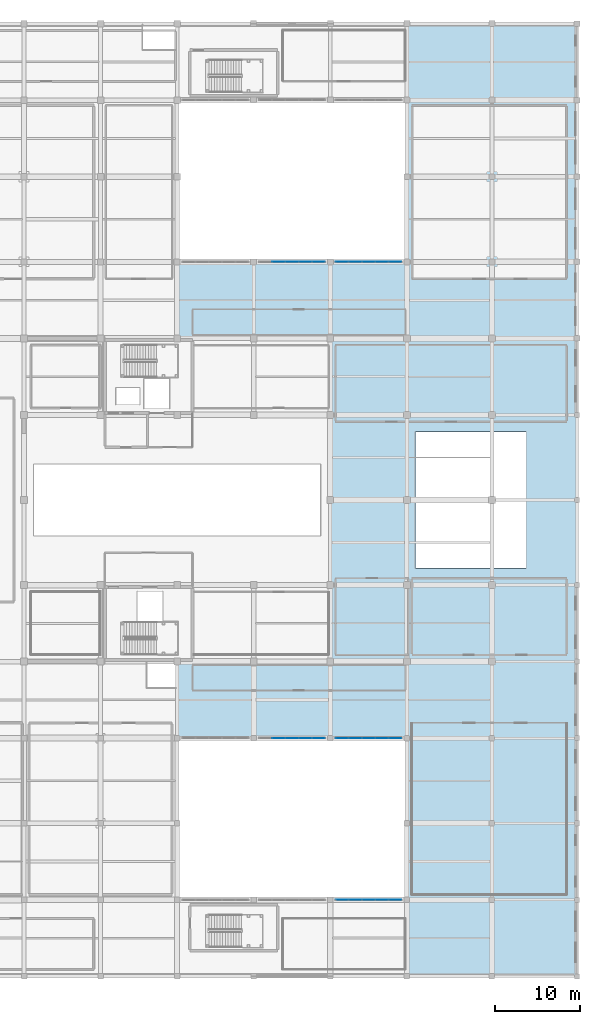
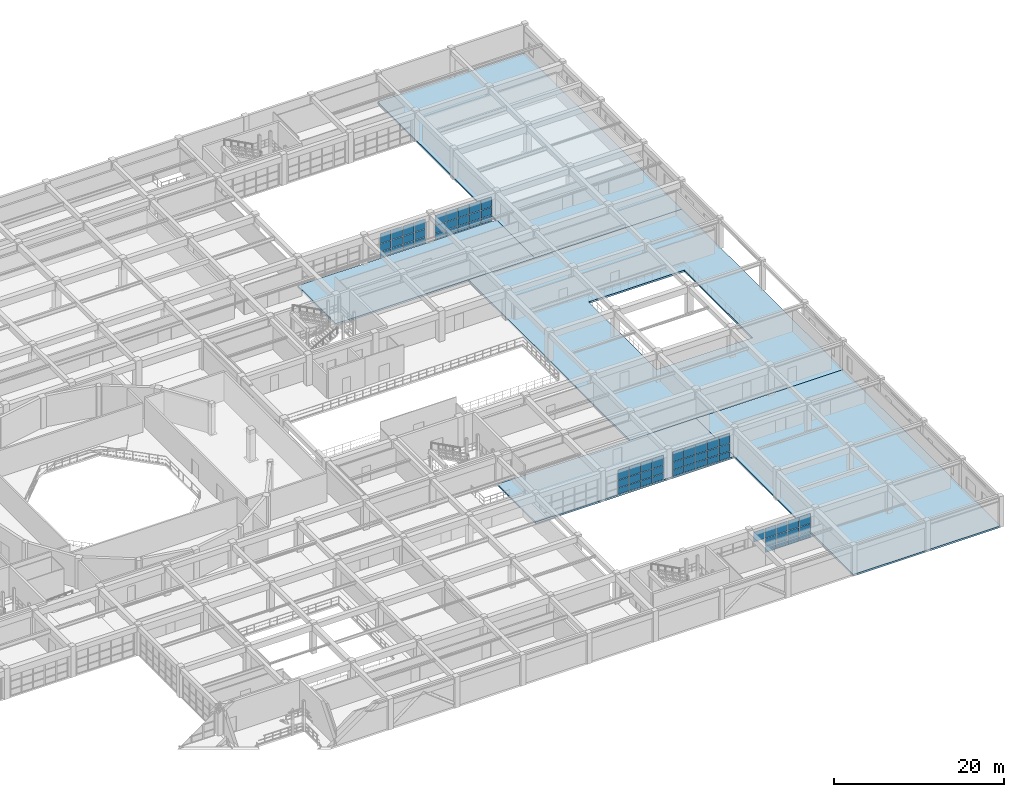
# One storey, part 99 of 133: 67 plates, 5 slabs, 5 elements without a shape of their own.
"""IFC4 building model written with IfcOpenShell, lengths in metres."""

from ifc_helpers import new_model, si_unit, direction, frame, origin, origin_2d, place, context, subcontext, project, spatial, polyline, rectangle, outline, extrude, material, layer, layer_set, type_object, element, aggregate, save


model = new_model("IFC4")

# Units and contexts
model_context = context("Model", 3, precision=1e-05, world=origin(), true_north=direction((0.0, 1.0)))
body_context = subcontext(model_context, "Body", "Model", "MODEL_VIEW")
ifc_project = project(units=[si_unit("LENGTHUNIT", "METRE"), si_unit("AREAUNIT", "SQUARE_METRE"), si_unit("VOLUMEUNIT", "CUBIC_METRE"), si_unit("PLANEANGLEUNIT", "RADIAN"), si_unit("MASSUNIT", "GRAM", prefix="KILO")], contexts=[model_context])

# Site, building, storey
site_placement = place(None, origin())
site = spatial("IfcSite", under=ifc_project, at=site_placement, CompositionType="ELEMENT")
building_placement = place(site_placement, origin())
building = spatial("IfcBuilding", under=site, at=building_placement, Name="Miravela Opera House", CompositionType="ELEMENT")
storey_placement = place(building_placement, frame((0.0, 0.0, 5.10009765625)))
storey = spatial("IfcBuildingStorey", under=building, at=storey_placement, Name="L01", CompositionType="ELEMENT", Elevation=5.10009765625)

# Curtain wall, plates
ifc_material_1 = material(Name="Anodised architectural bronze aluminium 6063-T6", Category="aluminium")
curtain_wall_type_1 = type_object("IfcCurtainWallType", Name="ARC-CW-05", PredefinedType="NOTDEFINED", material=ifc_material_1)
curtain_wall_1_placement = place(storey_placement, origin())
curtain_wall_1 = element("IfcCurtainWall", 1, at=curtain_wall_1_placement, inside=storey, type_object=curtain_wall_type_1, Name="Courtyard Arcade Curtain Wall CW-L01-172", PredefinedType="NOTDEFINED")
ifc_material_2 = material(Name="Acoustic laminated low-E insulating glass", Category="glass")
ifc_layer_1 = layer(ifc_material_2, 0.028076171875)
ifc_layer_set_1 = layer_set([ifc_layer_1])
plate_type = type_object("IfcPlateType", Name="ARC-CWP-28", PredefinedType="CURTAIN_PANEL", material=ifc_layer_set_1)
plate_1_placement = place(storey_placement, frame((128.931884765625, 84.0, 0.06005859375), z_axis=(0.0, 0.0, 1.0), x_axis=(1.0, 0.0, 0.0)))
plate_1 = element("IfcPlate", 2, at=plate_1_placement, type_object=plate_type, Name="CW-05 panel 2.1", PredefinedType="CURTAIN_PANEL", context=body_context, shape_type="SweptSolid", body=[
    extrude(rectangle(XDim=1.508056640625, YDim=0.028076171875, at=origin_2d()), origin(), (0.0, 0.0, 1.0), 0.860107421875),
])
plate_2_placement = place(storey_placement, frame((128.931884765625, 84.0, 0.97998046875), z_axis=(0.0, 0.0, 1.0), x_axis=(1.0, 0.0, 0.0)))
plate_2 = element("IfcPlate", 3, at=plate_2_placement, type_object=plate_type, Name="CW-05 panel 2.2", PredefinedType="CURTAIN_PANEL", context=body_context, shape_type="SweptSolid", body=[
    extrude(rectangle(XDim=1.508056640625, YDim=0.028076171875, at=origin_2d()), origin(), (0.0, 0.0, 1.0), 1.083740234375),
])
plate_3_placement = place(storey_placement, frame((128.931884765625, 84.0, 2.123779296875), z_axis=(0.0, 0.0, 1.0), x_axis=(1.0, 0.0, 0.0)))
plate_3 = element("IfcPlate", 4, at=plate_3_placement, type_object=plate_type, Name="CW-05 panel 2.3", PredefinedType="CURTAIN_PANEL", context=body_context, shape_type="SweptSolid", body=[
    extrude(rectangle(XDim=1.508056640625, YDim=0.028076171875, at=origin_2d()), origin(), (0.0, 0.0, 1.0), 1.42626953125),
])
plate_4_placement = place(storey_placement, frame((130.5, 84.0, 0.06005859375), z_axis=(0.0, 0.0, 1.0), x_axis=(1.0, 0.0, 0.0)))
plate_4 = element("IfcPlate", 5, at=plate_4_placement, type_object=plate_type, Name="CW-05 panel 3.1", PredefinedType="CURTAIN_PANEL", context=body_context, shape_type="SweptSolid", body=[
    extrude(rectangle(XDim=1.508056640625, YDim=0.028076171875, at=origin_2d()), origin(), (0.0, 0.0, 1.0), 0.860107421875),
])
plate_5_placement = place(storey_placement, frame((130.5, 84.0, 0.97998046875), z_axis=(0.0, 0.0, 1.0), x_axis=(1.0, 0.0, 0.0)))
plate_5 = element("IfcPlate", 6, at=plate_5_placement, type_object=plate_type, Name="CW-05 panel 3.2", PredefinedType="CURTAIN_PANEL", context=body_context, shape_type="SweptSolid", body=[
    extrude(rectangle(XDim=1.508056640625, YDim=0.028076171875, at=origin_2d()), origin(), (0.0, 0.0, 1.0), 1.083740234375),
])
plate_6_placement = place(storey_placement, frame((130.5, 84.0, 2.123779296875), z_axis=(0.0, 0.0, 1.0), x_axis=(1.0, 0.0, 0.0)))
plate_6 = element("IfcPlate", 7, at=plate_6_placement, type_object=plate_type, Name="CW-05 panel 3.3", PredefinedType="CURTAIN_PANEL", context=body_context, shape_type="SweptSolid", body=[
    extrude(rectangle(XDim=1.508056640625, YDim=0.028076171875, at=origin_2d()), origin(), (0.0, 0.0, 1.0), 1.42626953125),
])
plate_7_placement = place(storey_placement, frame((132.068115234375, 84.0, 0.06005859375), z_axis=(0.0, 0.0, 1.0), x_axis=(1.0, 0.0, 0.0)))
plate_7 = element("IfcPlate", 8, at=plate_7_placement, type_object=plate_type, Name="CW-05 panel 4.1", PredefinedType="CURTAIN_PANEL", context=body_context, shape_type="SweptSolid", body=[
    extrude(rectangle(XDim=1.508056640625, YDim=0.028076171875, at=origin_2d()), origin(), (0.0, 0.0, 1.0), 0.860107421875),
])
plate_8_placement = place(storey_placement, frame((132.068115234375, 84.0, 0.97998046875), z_axis=(0.0, 0.0, 1.0), x_axis=(1.0, 0.0, 0.0)))
plate_8 = element("IfcPlate", 9, at=plate_8_placement, type_object=plate_type, Name="CW-05 panel 4.2", PredefinedType="CURTAIN_PANEL", context=body_context, shape_type="SweptSolid", body=[
    extrude(rectangle(XDim=1.508056640625, YDim=0.028076171875, at=origin_2d()), origin(), (0.0, 0.0, 1.0), 1.083740234375),
])
plate_9_placement = place(storey_placement, frame((132.068115234375, 84.0, 2.123779296875), z_axis=(0.0, 0.0, 1.0), x_axis=(1.0, 0.0, 0.0)))
plate_9 = element("IfcPlate", 10, at=plate_9_placement, type_object=plate_type, Name="CW-05 panel 4.3", PredefinedType="CURTAIN_PANEL", context=body_context, shape_type="SweptSolid", body=[
    extrude(rectangle(XDim=1.508056640625, YDim=0.028076171875, at=origin_2d()), origin(), (0.0, 0.0, 1.0), 1.42626953125),
])
plate_10_placement = place(storey_placement, frame((133.62109375, 84.0, 0.06005859375), z_axis=(0.0, 0.0, 1.0), x_axis=(1.0, 0.0, 0.0)))
plate_10 = element("IfcPlate", 11, at=plate_10_placement, type_object=plate_type, Name="CW-05 panel 5.1", PredefinedType="CURTAIN_PANEL", context=body_context, shape_type="SweptSolid", body=[
    extrude(rectangle(XDim=1.47802734375, YDim=0.028076171875, at=origin_2d()), origin(), (0.0, 0.0, 1.0), 0.860107421875),
])
plate_11_placement = place(storey_placement, frame((133.62109375, 84.0, 0.97998046875), z_axis=(0.0, 0.0, 1.0), x_axis=(1.0, 0.0, 0.0)))
plate_11 = element("IfcPlate", 12, at=plate_11_placement, type_object=plate_type, Name="CW-05 panel 5.2", PredefinedType="CURTAIN_PANEL", context=body_context, shape_type="SweptSolid", body=[
    extrude(rectangle(XDim=1.47802734375, YDim=0.028076171875, at=origin_2d()), origin(), (0.0, 0.0, 1.0), 1.083740234375),
])
plate_12_placement = place(storey_placement, frame((133.62109375, 84.0, 2.123779296875), z_axis=(0.0, 0.0, 1.0), x_axis=(1.0, 0.0, 0.0)))
plate_12 = element("IfcPlate", 13, at=plate_12_placement, type_object=plate_type, Name="CW-05 panel 5.3", PredefinedType="CURTAIN_PANEL", context=body_context, shape_type="SweptSolid", body=[
    extrude(rectangle(XDim=1.47802734375, YDim=0.028076171875, at=origin_2d()), origin(), (0.0, 0.0, 1.0), 1.42626953125),
])
aggregate(curtain_wall_1, [plate_1, plate_2, plate_3, plate_4, plate_5, plate_6, plate_7, plate_8, plate_9, plate_10, plate_11, plate_12])

curtain_wall_type_2 = type_object("IfcCurtainWallType", Name="ARC-CW-06", PredefinedType="NOTDEFINED", material=ifc_material_1)
curtain_wall_2_placement = place(storey_placement, origin())
curtain_wall_2 = element("IfcCurtainWall", 14, at=curtain_wall_2_placement, inside=storey, type_object=curtain_wall_type_2, Name="Courtyard Arcade Curtain Wall CW-L01-174", PredefinedType="NOTDEFINED")
plate_13_placement = place(storey_placement, frame((128.931884765625, 28.0, 0.06005859375), z_axis=(0.0, 0.0, 1.0), x_axis=(1.0, 0.0, 0.0)))
plate_13 = element("IfcPlate", 15, at=plate_13_placement, type_object=plate_type, Name="CW-06 panel 2.1", PredefinedType="CURTAIN_PANEL", context=body_context, shape_type="SweptSolid", body=[
    extrude(rectangle(XDim=1.508056640625, YDim=0.028076171875, at=origin_2d()), origin(), (0.0, 0.0, 1.0), 0.860107421875),
])
plate_14_placement = place(storey_placement, frame((128.931884765625, 28.0, 0.97998046875), z_axis=(0.0, 0.0, 1.0), x_axis=(1.0, 0.0, 0.0)))
plate_14 = element("IfcPlate", 16, at=plate_14_placement, type_object=plate_type, Name="CW-06 panel 2.2", PredefinedType="CURTAIN_PANEL", context=body_context, shape_type="SweptSolid", body=[
    extrude(rectangle(XDim=1.508056640625, YDim=0.028076171875, at=origin_2d()), origin(), (0.0, 0.0, 1.0), 1.083740234375),
])
plate_15_placement = place(storey_placement, frame((128.931884765625, 28.0, 2.123779296875), z_axis=(0.0, 0.0, 1.0), x_axis=(1.0, 0.0, 0.0)))
plate_15 = element("IfcPlate", 17, at=plate_15_placement, type_object=plate_type, Name="CW-06 panel 2.3", PredefinedType="CURTAIN_PANEL", context=body_context, shape_type="SweptSolid", body=[
    extrude(rectangle(XDim=1.508056640625, YDim=0.028076171875, at=origin_2d()), origin(), (0.0, 0.0, 1.0), 1.42626953125),
])
plate_16_placement = place(storey_placement, frame((130.5, 28.0, 0.06005859375), z_axis=(0.0, 0.0, 1.0), x_axis=(1.0, 0.0, 0.0)))
plate_16 = element("IfcPlate", 18, at=plate_16_placement, type_object=plate_type, Name="CW-06 panel 3.1", PredefinedType="CURTAIN_PANEL", context=body_context, shape_type="SweptSolid", body=[
    extrude(rectangle(XDim=1.508056640625, YDim=0.028076171875, at=origin_2d()), origin(), (0.0, 0.0, 1.0), 0.860107421875),
])
plate_17_placement = place(storey_placement, frame((130.5, 28.0, 0.97998046875), z_axis=(0.0, 0.0, 1.0), x_axis=(1.0, 0.0, 0.0)))
plate_17 = element("IfcPlate", 19, at=plate_17_placement, type_object=plate_type, Name="CW-06 panel 3.2", PredefinedType="CURTAIN_PANEL", context=body_context, shape_type="SweptSolid", body=[
    extrude(rectangle(XDim=1.508056640625, YDim=0.028076171875, at=origin_2d()), origin(), (0.0, 0.0, 1.0), 1.083740234375),
])
plate_18_placement = place(storey_placement, frame((130.5, 28.0, 2.123779296875), z_axis=(0.0, 0.0, 1.0), x_axis=(1.0, 0.0, 0.0)))
plate_18 = element("IfcPlate", 20, at=plate_18_placement, type_object=plate_type, Name="CW-06 panel 3.3", PredefinedType="CURTAIN_PANEL", context=body_context, shape_type="SweptSolid", body=[
    extrude(rectangle(XDim=1.508056640625, YDim=0.028076171875, at=origin_2d()), origin(), (0.0, 0.0, 1.0), 1.42626953125),
])
plate_19_placement = place(storey_placement, frame((132.068115234375, 28.0, 0.06005859375), z_axis=(0.0, 0.0, 1.0), x_axis=(1.0, 0.0, 0.0)))
plate_19 = element("IfcPlate", 21, at=plate_19_placement, type_object=plate_type, Name="CW-06 panel 4.1", PredefinedType="CURTAIN_PANEL", context=body_context, shape_type="SweptSolid", body=[
    extrude(rectangle(XDim=1.508056640625, YDim=0.028076171875, at=origin_2d()), origin(), (0.0, 0.0, 1.0), 0.860107421875),
])
plate_20_placement = place(storey_placement, frame((132.068115234375, 28.0, 0.97998046875), z_axis=(0.0, 0.0, 1.0), x_axis=(1.0, 0.0, 0.0)))
plate_20 = element("IfcPlate", 22, at=plate_20_placement, type_object=plate_type, Name="CW-06 panel 4.2", PredefinedType="CURTAIN_PANEL", context=body_context, shape_type="SweptSolid", body=[
    extrude(rectangle(XDim=1.508056640625, YDim=0.028076171875, at=origin_2d()), origin(), (0.0, 0.0, 1.0), 1.083740234375),
])
plate_21_placement = place(storey_placement, frame((132.068115234375, 28.0, 2.123779296875), z_axis=(0.0, 0.0, 1.0), x_axis=(1.0, 0.0, 0.0)))
plate_21 = element("IfcPlate", 23, at=plate_21_placement, type_object=plate_type, Name="CW-06 panel 4.3", PredefinedType="CURTAIN_PANEL", context=body_context, shape_type="SweptSolid", body=[
    extrude(rectangle(XDim=1.508056640625, YDim=0.028076171875, at=origin_2d()), origin(), (0.0, 0.0, 1.0), 1.42626953125),
])
plate_22_placement = place(storey_placement, frame((133.62109375, 28.0, 0.06005859375), z_axis=(0.0, 0.0, 1.0), x_axis=(1.0, 0.0, 0.0)))
plate_22 = element("IfcPlate", 24, at=plate_22_placement, type_object=plate_type, Name="CW-06 panel 5.1", PredefinedType="CURTAIN_PANEL", context=body_context, shape_type="SweptSolid", body=[
    extrude(rectangle(XDim=1.47802734375, YDim=0.028076171875, at=origin_2d()), origin(), (0.0, 0.0, 1.0), 0.860107421875),
])
plate_23_placement = place(storey_placement, frame((133.62109375, 28.0, 0.97998046875), z_axis=(0.0, 0.0, 1.0), x_axis=(1.0, 0.0, 0.0)))
plate_23 = element("IfcPlate", 25, at=plate_23_placement, type_object=plate_type, Name="CW-06 panel 5.2", PredefinedType="CURTAIN_PANEL", context=body_context, shape_type="SweptSolid", body=[
    extrude(rectangle(XDim=1.47802734375, YDim=0.028076171875, at=origin_2d()), origin(), (0.0, 0.0, 1.0), 1.083740234375),
])
plate_24_placement = place(storey_placement, frame((133.62109375, 28.0, 2.123779296875), z_axis=(0.0, 0.0, 1.0), x_axis=(1.0, 0.0, 0.0)))
plate_24 = element("IfcPlate", 26, at=plate_24_placement, type_object=plate_type, Name="CW-06 panel 5.3", PredefinedType="CURTAIN_PANEL", context=body_context, shape_type="SweptSolid", body=[
    extrude(rectangle(XDim=1.47802734375, YDim=0.028076171875, at=origin_2d()), origin(), (0.0, 0.0, 1.0), 1.42626953125),
])
aggregate(curtain_wall_2, [plate_13, plate_14, plate_15, plate_16, plate_17, plate_18, plate_19, plate_20, plate_21, plate_22, plate_23, plate_24])

curtain_wall_3_placement = place(storey_placement, origin())
curtain_wall_3 = element("IfcCurtainWall", 27, at=curtain_wall_3_placement, inside=storey, type_object=curtain_wall_type_1, Name="Courtyard Arcade Curtain Wall CW-L01-176", PredefinedType="NOTDEFINED")
plate_25_placement = place(storey_placement, frame((136.37890625, 84.0, 0.06005859375), z_axis=(0.0, 0.0, 1.0), x_axis=(1.0, 0.0, 0.0)))
plate_25 = element("IfcPlate", 28, at=plate_25_placement, type_object=plate_type, Name="CW-05 panel 1.1", PredefinedType="CURTAIN_PANEL", context=body_context, shape_type="SweptSolid", body=[
    extrude(rectangle(XDim=1.47802734375, YDim=0.028076171875, at=origin_2d()), origin(), (0.0, 0.0, 1.0), 0.860107421875),
])
plate_26_placement = place(storey_placement, frame((136.37890625, 84.0, 0.97998046875), z_axis=(0.0, 0.0, 1.0), x_axis=(1.0, 0.0, 0.0)))
plate_26 = element("IfcPlate", 29, at=plate_26_placement, type_object=plate_type, Name="CW-05 panel 1.2", PredefinedType="CURTAIN_PANEL", context=body_context, shape_type="SweptSolid", body=[
    extrude(rectangle(XDim=1.47802734375, YDim=0.028076171875, at=origin_2d()), origin(), (0.0, 0.0, 1.0), 1.083740234375),
])
plate_27_placement = place(storey_placement, frame((136.37890625, 84.0, 2.123779296875), z_axis=(0.0, 0.0, 1.0), x_axis=(1.0, 0.0, 0.0)))
plate_27 = element("IfcPlate", 30, at=plate_27_placement, type_object=plate_type, Name="CW-05 panel 1.3", PredefinedType="CURTAIN_PANEL", context=body_context, shape_type="SweptSolid", body=[
    extrude(rectangle(XDim=1.47802734375, YDim=0.028076171875, at=origin_2d()), origin(), (0.0, 0.0, 1.0), 1.42626953125),
])
plate_28_placement = place(storey_placement, frame((137.931884765625, 84.0, 0.06005859375), z_axis=(0.0, 0.0, 1.0), x_axis=(1.0, 0.0, 0.0)))
plate_28 = element("IfcPlate", 31, at=plate_28_placement, type_object=plate_type, Name="CW-05 panel 2.1", PredefinedType="CURTAIN_PANEL", context=body_context, shape_type="SweptSolid", body=[
    extrude(rectangle(XDim=1.508056640625, YDim=0.028076171875, at=origin_2d()), origin(), (0.0, 0.0, 1.0), 0.860107421875),
])
plate_29_placement = place(storey_placement, frame((137.931884765625, 84.0, 0.97998046875), z_axis=(0.0, 0.0, 1.0), x_axis=(1.0, 0.0, 0.0)))
plate_29 = element("IfcPlate", 32, at=plate_29_placement, type_object=plate_type, Name="CW-05 panel 2.2", PredefinedType="CURTAIN_PANEL", context=body_context, shape_type="SweptSolid", body=[
    extrude(rectangle(XDim=1.508056640625, YDim=0.028076171875, at=origin_2d()), origin(), (0.0, 0.0, 1.0), 1.083740234375),
])
plate_30_placement = place(storey_placement, frame((137.931884765625, 84.0, 2.123779296875), z_axis=(0.0, 0.0, 1.0), x_axis=(1.0, 0.0, 0.0)))
plate_30 = element("IfcPlate", 33, at=plate_30_placement, type_object=plate_type, Name="CW-05 panel 2.3", PredefinedType="CURTAIN_PANEL", context=body_context, shape_type="SweptSolid", body=[
    extrude(rectangle(XDim=1.508056640625, YDim=0.028076171875, at=origin_2d()), origin(), (0.0, 0.0, 1.0), 1.42626953125),
])
plate_31_placement = place(storey_placement, frame((139.5, 84.0, 0.06005859375), z_axis=(0.0, 0.0, 1.0), x_axis=(1.0, 0.0, 0.0)))
plate_31 = element("IfcPlate", 34, at=plate_31_placement, type_object=plate_type, Name="CW-05 panel 3.1", PredefinedType="CURTAIN_PANEL", context=body_context, shape_type="SweptSolid", body=[
    extrude(rectangle(XDim=1.508056640625, YDim=0.028076171875, at=origin_2d()), origin(), (0.0, 0.0, 1.0), 0.860107421875),
])
plate_32_placement = place(storey_placement, frame((139.5, 84.0, 0.97998046875), z_axis=(0.0, 0.0, 1.0), x_axis=(1.0, 0.0, 0.0)))
plate_32 = element("IfcPlate", 35, at=plate_32_placement, type_object=plate_type, Name="CW-05 panel 3.2", PredefinedType="CURTAIN_PANEL", context=body_context, shape_type="SweptSolid", body=[
    extrude(rectangle(XDim=1.508056640625, YDim=0.028076171875, at=origin_2d()), origin(), (0.0, 0.0, 1.0), 1.083740234375),
])
plate_33_placement = place(storey_placement, frame((139.5, 84.0, 2.123779296875), z_axis=(0.0, 0.0, 1.0), x_axis=(1.0, 0.0, 0.0)))
plate_33 = element("IfcPlate", 36, at=plate_33_placement, type_object=plate_type, Name="CW-05 panel 3.3", PredefinedType="CURTAIN_PANEL", context=body_context, shape_type="SweptSolid", body=[
    extrude(rectangle(XDim=1.508056640625, YDim=0.028076171875, at=origin_2d()), origin(), (0.0, 0.0, 1.0), 1.42626953125),
])
plate_34_placement = place(storey_placement, frame((141.068115234375, 84.0, 0.06005859375), z_axis=(0.0, 0.0, 1.0), x_axis=(1.0, 0.0, 0.0)))
plate_34 = element("IfcPlate", 37, at=plate_34_placement, type_object=plate_type, Name="CW-05 panel 4.1", PredefinedType="CURTAIN_PANEL", context=body_context, shape_type="SweptSolid", body=[
    extrude(rectangle(XDim=1.508056640625, YDim=0.028076171875, at=origin_2d()), origin(), (0.0, 0.0, 1.0), 0.860107421875),
])
plate_35_placement = place(storey_placement, frame((141.068115234375, 84.0, 0.97998046875), z_axis=(0.0, 0.0, 1.0), x_axis=(1.0, 0.0, 0.0)))
plate_35 = element("IfcPlate", 38, at=plate_35_placement, type_object=plate_type, Name="CW-05 panel 4.2", PredefinedType="CURTAIN_PANEL", context=body_context, shape_type="SweptSolid", body=[
    extrude(rectangle(XDim=1.508056640625, YDim=0.028076171875, at=origin_2d()), origin(), (0.0, 0.0, 1.0), 1.083740234375),
])
plate_36_placement = place(storey_placement, frame((141.068115234375, 84.0, 2.123779296875), z_axis=(0.0, 0.0, 1.0), x_axis=(1.0, 0.0, 0.0)))
plate_36 = element("IfcPlate", 39, at=plate_36_placement, type_object=plate_type, Name="CW-05 panel 4.3", PredefinedType="CURTAIN_PANEL", context=body_context, shape_type="SweptSolid", body=[
    extrude(rectangle(XDim=1.508056640625, YDim=0.028076171875, at=origin_2d()), origin(), (0.0, 0.0, 1.0), 1.42626953125),
])
plate_37_placement = place(storey_placement, frame((142.62109375, 84.0, 0.06005859375), z_axis=(0.0, 0.0, 1.0), x_axis=(1.0, 0.0, 0.0)))
plate_37 = element("IfcPlate", 40, at=plate_37_placement, type_object=plate_type, Name="CW-05 panel 5.1", PredefinedType="CURTAIN_PANEL", context=body_context, shape_type="SweptSolid", body=[
    extrude(rectangle(XDim=1.47802734375, YDim=0.028076171875, at=origin_2d()), origin(), (0.0, 0.0, 1.0), 0.860107421875),
])
plate_38_placement = place(storey_placement, frame((142.62109375, 84.0, 0.97998046875), z_axis=(0.0, 0.0, 1.0), x_axis=(1.0, 0.0, 0.0)))
plate_38 = element("IfcPlate", 41, at=plate_38_placement, type_object=plate_type, Name="CW-05 panel 5.2", PredefinedType="CURTAIN_PANEL", context=body_context, shape_type="SweptSolid", body=[
    extrude(rectangle(XDim=1.47802734375, YDim=0.028076171875, at=origin_2d()), origin(), (0.0, 0.0, 1.0), 1.083740234375),
])
plate_39_placement = place(storey_placement, frame((142.62109375, 84.0, 2.123779296875), z_axis=(0.0, 0.0, 1.0), x_axis=(1.0, 0.0, 0.0)))
plate_39 = element("IfcPlate", 42, at=plate_39_placement, type_object=plate_type, Name="CW-05 panel 5.3", PredefinedType="CURTAIN_PANEL", context=body_context, shape_type="SweptSolid", body=[
    extrude(rectangle(XDim=1.47802734375, YDim=0.028076171875, at=origin_2d()), origin(), (0.0, 0.0, 1.0), 1.42626953125),
])
aggregate(curtain_wall_3, [plate_25, plate_26, plate_27, plate_28, plate_29, plate_30, plate_31, plate_32, plate_33, plate_34, plate_35, plate_36, plate_37, plate_38, plate_39])

curtain_wall_4_placement = place(storey_placement, origin())
curtain_wall_4 = element("IfcCurtainWall", 43, at=curtain_wall_4_placement, inside=storey, type_object=curtain_wall_type_2, Name="Courtyard Arcade Curtain Wall CW-L01-178", PredefinedType="NOTDEFINED")
plate_40_placement = place(storey_placement, frame((136.37890625, 28.0, 0.06005859375), z_axis=(0.0, 0.0, 1.0), x_axis=(1.0, 0.0, 0.0)))
plate_40 = element("IfcPlate", 44, at=plate_40_placement, type_object=plate_type, Name="CW-06 panel 1.1", PredefinedType="CURTAIN_PANEL", context=body_context, shape_type="SweptSolid", body=[
    extrude(rectangle(XDim=1.47802734375, YDim=0.028076171875, at=origin_2d()), origin(), (0.0, 0.0, 1.0), 0.860107421875),
])
plate_41_placement = place(storey_placement, frame((136.37890625, 28.0, 0.97998046875), z_axis=(0.0, 0.0, 1.0), x_axis=(1.0, 0.0, 0.0)))
plate_41 = element("IfcPlate", 45, at=plate_41_placement, type_object=plate_type, Name="CW-06 panel 1.2", PredefinedType="CURTAIN_PANEL", context=body_context, shape_type="SweptSolid", body=[
    extrude(rectangle(XDim=1.47802734375, YDim=0.028076171875, at=origin_2d()), origin(), (0.0, 0.0, 1.0), 1.083740234375),
])
plate_42_placement = place(storey_placement, frame((136.37890625, 28.0, 2.123779296875), z_axis=(0.0, 0.0, 1.0), x_axis=(1.0, 0.0, 0.0)))
plate_42 = element("IfcPlate", 46, at=plate_42_placement, type_object=plate_type, Name="CW-06 panel 1.3", PredefinedType="CURTAIN_PANEL", context=body_context, shape_type="SweptSolid", body=[
    extrude(rectangle(XDim=1.47802734375, YDim=0.028076171875, at=origin_2d()), origin(), (0.0, 0.0, 1.0), 1.42626953125),
])
plate_43_placement = place(storey_placement, frame((137.931884765625, 28.0, 0.06005859375), z_axis=(0.0, 0.0, 1.0), x_axis=(1.0, 0.0, 0.0)))
plate_43 = element("IfcPlate", 47, at=plate_43_placement, type_object=plate_type, Name="CW-06 panel 2.1", PredefinedType="CURTAIN_PANEL", context=body_context, shape_type="SweptSolid", body=[
    extrude(rectangle(XDim=1.508056640625, YDim=0.028076171875, at=origin_2d()), origin(), (0.0, 0.0, 1.0), 0.860107421875),
])
plate_44_placement = place(storey_placement, frame((137.931884765625, 28.0, 0.97998046875), z_axis=(0.0, 0.0, 1.0), x_axis=(1.0, 0.0, 0.0)))
plate_44 = element("IfcPlate", 48, at=plate_44_placement, type_object=plate_type, Name="CW-06 panel 2.2", PredefinedType="CURTAIN_PANEL", context=body_context, shape_type="SweptSolid", body=[
    extrude(rectangle(XDim=1.508056640625, YDim=0.028076171875, at=origin_2d()), origin(), (0.0, 0.0, 1.0), 1.083740234375),
])
plate_45_placement = place(storey_placement, frame((137.931884765625, 28.0, 2.123779296875), z_axis=(0.0, 0.0, 1.0), x_axis=(1.0, 0.0, 0.0)))
plate_45 = element("IfcPlate", 49, at=plate_45_placement, type_object=plate_type, Name="CW-06 panel 2.3", PredefinedType="CURTAIN_PANEL", context=body_context, shape_type="SweptSolid", body=[
    extrude(rectangle(XDim=1.508056640625, YDim=0.028076171875, at=origin_2d()), origin(), (0.0, 0.0, 1.0), 1.42626953125),
])
plate_46_placement = place(storey_placement, frame((139.5, 28.0, 0.06005859375), z_axis=(0.0, 0.0, 1.0), x_axis=(1.0, 0.0, 0.0)))
plate_46 = element("IfcPlate", 50, at=plate_46_placement, type_object=plate_type, Name="CW-06 panel 3.1", PredefinedType="CURTAIN_PANEL", context=body_context, shape_type="SweptSolid", body=[
    extrude(rectangle(XDim=1.508056640625, YDim=0.028076171875, at=origin_2d()), origin(), (0.0, 0.0, 1.0), 0.860107421875),
])
plate_47_placement = place(storey_placement, frame((139.5, 28.0, 0.97998046875), z_axis=(0.0, 0.0, 1.0), x_axis=(1.0, 0.0, 0.0)))
plate_47 = element("IfcPlate", 51, at=plate_47_placement, type_object=plate_type, Name="CW-06 panel 3.2", PredefinedType="CURTAIN_PANEL", context=body_context, shape_type="SweptSolid", body=[
    extrude(rectangle(XDim=1.508056640625, YDim=0.028076171875, at=origin_2d()), origin(), (0.0, 0.0, 1.0), 1.083740234375),
])
plate_48_placement = place(storey_placement, frame((139.5, 28.0, 2.123779296875), z_axis=(0.0, 0.0, 1.0), x_axis=(1.0, 0.0, 0.0)))
plate_48 = element("IfcPlate", 52, at=plate_48_placement, type_object=plate_type, Name="CW-06 panel 3.3", PredefinedType="CURTAIN_PANEL", context=body_context, shape_type="SweptSolid", body=[
    extrude(rectangle(XDim=1.508056640625, YDim=0.028076171875, at=origin_2d()), origin(), (0.0, 0.0, 1.0), 1.42626953125),
])
plate_49_placement = place(storey_placement, frame((141.068115234375, 28.0, 0.06005859375), z_axis=(0.0, 0.0, 1.0), x_axis=(1.0, 0.0, 0.0)))
plate_49 = element("IfcPlate", 53, at=plate_49_placement, type_object=plate_type, Name="CW-06 panel 4.1", PredefinedType="CURTAIN_PANEL", context=body_context, shape_type="SweptSolid", body=[
    extrude(rectangle(XDim=1.508056640625, YDim=0.028076171875, at=origin_2d()), origin(), (0.0, 0.0, 1.0), 0.860107421875),
])
plate_50_placement = place(storey_placement, frame((141.068115234375, 28.0, 0.97998046875), z_axis=(0.0, 0.0, 1.0), x_axis=(1.0, 0.0, 0.0)))
plate_50 = element("IfcPlate", 54, at=plate_50_placement, type_object=plate_type, Name="CW-06 panel 4.2", PredefinedType="CURTAIN_PANEL", context=body_context, shape_type="SweptSolid", body=[
    extrude(rectangle(XDim=1.508056640625, YDim=0.028076171875, at=origin_2d()), origin(), (0.0, 0.0, 1.0), 1.083740234375),
])
plate_51_placement = place(storey_placement, frame((141.068115234375, 28.0, 2.123779296875), z_axis=(0.0, 0.0, 1.0), x_axis=(1.0, 0.0, 0.0)))
plate_51 = element("IfcPlate", 55, at=plate_51_placement, type_object=plate_type, Name="CW-06 panel 4.3", PredefinedType="CURTAIN_PANEL", context=body_context, shape_type="SweptSolid", body=[
    extrude(rectangle(XDim=1.508056640625, YDim=0.028076171875, at=origin_2d()), origin(), (0.0, 0.0, 1.0), 1.42626953125),
])
plate_52_placement = place(storey_placement, frame((142.62109375, 28.0, 0.06005859375), z_axis=(0.0, 0.0, 1.0), x_axis=(1.0, 0.0, 0.0)))
plate_52 = element("IfcPlate", 56, at=plate_52_placement, type_object=plate_type, Name="CW-06 panel 5.1", PredefinedType="CURTAIN_PANEL", context=body_context, shape_type="SweptSolid", body=[
    extrude(rectangle(XDim=1.47802734375, YDim=0.028076171875, at=origin_2d()), origin(), (0.0, 0.0, 1.0), 0.860107421875),
])
plate_53_placement = place(storey_placement, frame((142.62109375, 28.0, 0.97998046875), z_axis=(0.0, 0.0, 1.0), x_axis=(1.0, 0.0, 0.0)))
plate_53 = element("IfcPlate", 57, at=plate_53_placement, type_object=plate_type, Name="CW-06 panel 5.2", PredefinedType="CURTAIN_PANEL", context=body_context, shape_type="SweptSolid", body=[
    extrude(rectangle(XDim=1.47802734375, YDim=0.028076171875, at=origin_2d()), origin(), (0.0, 0.0, 1.0), 1.083740234375),
])
plate_54_placement = place(storey_placement, frame((142.62109375, 28.0, 2.123779296875), z_axis=(0.0, 0.0, 1.0), x_axis=(1.0, 0.0, 0.0)))
plate_54 = element("IfcPlate", 58, at=plate_54_placement, type_object=plate_type, Name="CW-06 panel 5.3", PredefinedType="CURTAIN_PANEL", context=body_context, shape_type="SweptSolid", body=[
    extrude(rectangle(XDim=1.47802734375, YDim=0.028076171875, at=origin_2d()), origin(), (0.0, 0.0, 1.0), 1.42626953125),
])
aggregate(curtain_wall_4, [plate_40, plate_41, plate_42, plate_43, plate_44, plate_45, plate_46, plate_47, plate_48, plate_49, plate_50, plate_51, plate_52, plate_53, plate_54])

curtain_wall_5_placement = place(storey_placement, origin())
curtain_wall_5 = element("IfcCurtainWall", 59, at=curtain_wall_5_placement, inside=storey, type_object=curtain_wall_type_2, Name="Courtyard Arcade Curtain Wall CW-L01-179", PredefinedType="NOTDEFINED")
plate_55_placement = place(storey_placement, frame((136.37890625, 9.0, 2.123779296875), z_axis=(0.0, 0.0, 1.0), x_axis=(1.0, 0.0, 0.0)))
plate_55 = element("IfcPlate", 60, at=plate_55_placement, type_object=plate_type, Name="CW-06 panel 1.3", PredefinedType="CURTAIN_PANEL", context=body_context, shape_type="SweptSolid", body=[
    extrude(rectangle(XDim=1.47802734375, YDim=0.028076171875, at=origin_2d()), origin(), (0.0, 0.0, 1.0), 1.42626953125),
])
plate_56_placement = place(storey_placement, frame((137.931884765625, 9.0, 0.06005859375), z_axis=(0.0, 0.0, 1.0), x_axis=(1.0, 0.0, 0.0)))
plate_56 = element("IfcPlate", 61, at=plate_56_placement, type_object=plate_type, Name="CW-06 panel 2.1", PredefinedType="CURTAIN_PANEL", context=body_context, shape_type="SweptSolid", body=[
    extrude(rectangle(XDim=1.508056640625, YDim=0.028076171875, at=origin_2d()), origin(), (0.0, 0.0, 1.0), 0.860107421875),
])
plate_57_placement = place(storey_placement, frame((137.931884765625, 9.0, 0.97998046875), z_axis=(0.0, 0.0, 1.0), x_axis=(1.0, 0.0, 0.0)))
plate_57 = element("IfcPlate", 62, at=plate_57_placement, type_object=plate_type, Name="CW-06 panel 2.2", PredefinedType="CURTAIN_PANEL", context=body_context, shape_type="SweptSolid", body=[
    extrude(rectangle(XDim=1.508056640625, YDim=0.028076171875, at=origin_2d()), origin(), (0.0, 0.0, 1.0), 1.083740234375),
])
plate_58_placement = place(storey_placement, frame((137.931884765625, 9.0, 2.123779296875), z_axis=(0.0, 0.0, 1.0), x_axis=(1.0, 0.0, 0.0)))
plate_58 = element("IfcPlate", 63, at=plate_58_placement, type_object=plate_type, Name="CW-06 panel 2.3", PredefinedType="CURTAIN_PANEL", context=body_context, shape_type="SweptSolid", body=[
    extrude(rectangle(XDim=1.508056640625, YDim=0.028076171875, at=origin_2d()), origin(), (0.0, 0.0, 1.0), 1.42626953125),
])
plate_59_placement = place(storey_placement, frame((139.5, 9.0, 0.06005859375), z_axis=(0.0, 0.0, 1.0), x_axis=(1.0, 0.0, 0.0)))
plate_59 = element("IfcPlate", 64, at=plate_59_placement, type_object=plate_type, Name="CW-06 panel 3.1", PredefinedType="CURTAIN_PANEL", context=body_context, shape_type="SweptSolid", body=[
    extrude(rectangle(XDim=1.508056640625, YDim=0.028076171875, at=origin_2d()), origin(), (0.0, 0.0, 1.0), 0.860107421875),
])
plate_60_placement = place(storey_placement, frame((139.5, 9.0, 0.97998046875), z_axis=(0.0, 0.0, 1.0), x_axis=(1.0, 0.0, 0.0)))
plate_60 = element("IfcPlate", 65, at=plate_60_placement, type_object=plate_type, Name="CW-06 panel 3.2", PredefinedType="CURTAIN_PANEL", context=body_context, shape_type="SweptSolid", body=[
    extrude(rectangle(XDim=1.508056640625, YDim=0.028076171875, at=origin_2d()), origin(), (0.0, 0.0, 1.0), 1.083740234375),
])
plate_61_placement = place(storey_placement, frame((139.5, 9.0, 2.123779296875), z_axis=(0.0, 0.0, 1.0), x_axis=(1.0, 0.0, 0.0)))
plate_61 = element("IfcPlate", 66, at=plate_61_placement, type_object=plate_type, Name="CW-06 panel 3.3", PredefinedType="CURTAIN_PANEL", context=body_context, shape_type="SweptSolid", body=[
    extrude(rectangle(XDim=1.508056640625, YDim=0.028076171875, at=origin_2d()), origin(), (0.0, 0.0, 1.0), 1.42626953125),
])
plate_62_placement = place(storey_placement, frame((141.068115234375, 9.0, 0.06005859375), z_axis=(0.0, 0.0, 1.0), x_axis=(1.0, 0.0, 0.0)))
plate_62 = element("IfcPlate", 67, at=plate_62_placement, type_object=plate_type, Name="CW-06 panel 4.1", PredefinedType="CURTAIN_PANEL", context=body_context, shape_type="SweptSolid", body=[
    extrude(rectangle(XDim=1.508056640625, YDim=0.028076171875, at=origin_2d()), origin(), (0.0, 0.0, 1.0), 0.860107421875),
])
plate_63_placement = place(storey_placement, frame((141.068115234375, 9.0, 0.97998046875), z_axis=(0.0, 0.0, 1.0), x_axis=(1.0, 0.0, 0.0)))
plate_63 = element("IfcPlate", 68, at=plate_63_placement, type_object=plate_type, Name="CW-06 panel 4.2", PredefinedType="CURTAIN_PANEL", context=body_context, shape_type="SweptSolid", body=[
    extrude(rectangle(XDim=1.508056640625, YDim=0.028076171875, at=origin_2d()), origin(), (0.0, 0.0, 1.0), 1.083740234375),
])
plate_64_placement = place(storey_placement, frame((141.068115234375, 9.0, 2.123779296875), z_axis=(0.0, 0.0, 1.0), x_axis=(1.0, 0.0, 0.0)))
plate_64 = element("IfcPlate", 69, at=plate_64_placement, type_object=plate_type, Name="CW-06 panel 4.3", PredefinedType="CURTAIN_PANEL", context=body_context, shape_type="SweptSolid", body=[
    extrude(rectangle(XDim=1.508056640625, YDim=0.028076171875, at=origin_2d()), origin(), (0.0, 0.0, 1.0), 1.42626953125),
])
plate_65_placement = place(storey_placement, frame((142.62109375, 9.0, 0.06005859375), z_axis=(0.0, 0.0, 1.0), x_axis=(1.0, 0.0, 0.0)))
plate_65 = element("IfcPlate", 70, at=plate_65_placement, type_object=plate_type, Name="CW-06 panel 5.1", PredefinedType="CURTAIN_PANEL", context=body_context, shape_type="SweptSolid", body=[
    extrude(rectangle(XDim=1.47802734375, YDim=0.028076171875, at=origin_2d()), origin(), (0.0, 0.0, 1.0), 0.860107421875),
])
plate_66_placement = place(storey_placement, frame((142.62109375, 9.0, 0.97998046875), z_axis=(0.0, 0.0, 1.0), x_axis=(1.0, 0.0, 0.0)))
plate_66 = element("IfcPlate", 71, at=plate_66_placement, type_object=plate_type, Name="CW-06 panel 5.2", PredefinedType="CURTAIN_PANEL", context=body_context, shape_type="SweptSolid", body=[
    extrude(rectangle(XDim=1.47802734375, YDim=0.028076171875, at=origin_2d()), origin(), (0.0, 0.0, 1.0), 1.083740234375),
])
plate_67_placement = place(storey_placement, frame((142.62109375, 9.0, 2.123779296875), z_axis=(0.0, 0.0, 1.0), x_axis=(1.0, 0.0, 0.0)))
plate_67 = element("IfcPlate", 72, at=plate_67_placement, type_object=plate_type, Name="CW-06 panel 5.3", PredefinedType="CURTAIN_PANEL", context=body_context, shape_type="SweptSolid", body=[
    extrude(rectangle(XDim=1.47802734375, YDim=0.028076171875, at=origin_2d()), origin(), (0.0, 0.0, 1.0), 1.42626953125),
])
aggregate(curtain_wall_5, [plate_55, plate_56, plate_57, plate_58, plate_59, plate_60, plate_61, plate_62, plate_63, plate_64, plate_65, plate_66, plate_67])

# Slabs
ifc_material_3 = material(Name="Concrete C35/45", Category="concrete")
ifc_layer_2 = layer(ifc_material_3, 0.25)
ifc_layer_set_2 = layer_set([ifc_layer_2])
slab_type = type_object("IfcSlabType", Name="STR-SLAB-FLR-250", PredefinedType="FLOOR", material=ifc_layer_set_2)
slab_1_placement = place(storey_placement, frame((0.0, 0.0, -0.25)))
element("IfcSlab", 73, at=slab_1_placement, inside=storey, type_object=slab_type, Name="Level L01 Floor Slab SLAB-L01-V2E", PredefinedType="FLOOR", context=body_context, shape_type="SweptSolid", body=[
    extrude(outline(polyline([(135.0, 37.0), (164.0, 37.0), (164.0, 75.0), (135.0, 75.0), (135.0, 37.0)]), holes=[polyline([(145.0, 48.0), (158.0, 48.0), (158.0, 64.0), (145.0, 64.0), (145.0, 48.0)])]), origin(), (0.0, 0.0, 1.0), 0.25),
])
slab_2_placement = place(storey_placement, frame((0.0, 0.0, -0.25)))
element("IfcSlab", 74, at=slab_2_placement, inside=storey, type_object=slab_type, Name="Level L01 Floor Slab SLAB-L01-V3B", PredefinedType="FLOOR", context=body_context, shape_type="SweptSolid", body=[
    extrude(outline(polyline([(117.0, 75.0), (144.0, 75.0), (144.0, 84.0), (117.0, 84.0), (117.0, 75.0)])), origin(), (0.0, 0.0, 1.0), 0.25),
])
slab_3_placement = place(storey_placement, frame((0.0, 0.0, -0.25)))
element("IfcSlab", 75, at=slab_3_placement, inside=storey, type_object=slab_type, Name="Level L01 Floor Slab SLAB-L01-V3E", PredefinedType="FLOOR", context=body_context, shape_type="SweptSolid", body=[
    extrude(outline(polyline([(144.0, 75.0), (164.0, 75.0), (164.0, 112.0), (144.0, 112.0), (144.0, 75.0)])), origin(), (0.0, 0.0, 1.0), 0.25),
])
slab_4_placement = place(storey_placement, frame((0.0, 0.0, -0.25)))
element("IfcSlab", 76, at=slab_4_placement, inside=storey, type_object=slab_type, Name="Level L01 Floor Slab SLAB-L01-V4B", PredefinedType="FLOOR", context=body_context, shape_type="SweptSolid", body=[
    extrude(outline(polyline([(117.0, 28.0), (144.0, 28.0), (144.0, 37.0), (117.0, 37.0), (117.0, 28.0)])), origin(), (0.0, 0.0, 1.0), 0.25),
])
slab_5_placement = place(storey_placement, frame((0.0, 0.0, -0.25)))
element("IfcSlab", 77, at=slab_5_placement, inside=storey, type_object=slab_type, Name="Level L01 Floor Slab SLAB-L01-V4E", PredefinedType="FLOOR", context=body_context, shape_type="SweptSolid", body=[
    extrude(outline(polyline([(144.0, 0.0), (164.0, 0.0), (164.0, 37.0), (144.0, 37.0), (144.0, 0.0)])), origin(), (0.0, 0.0, 1.0), 0.25),
])

save(model, "model.ifc")
